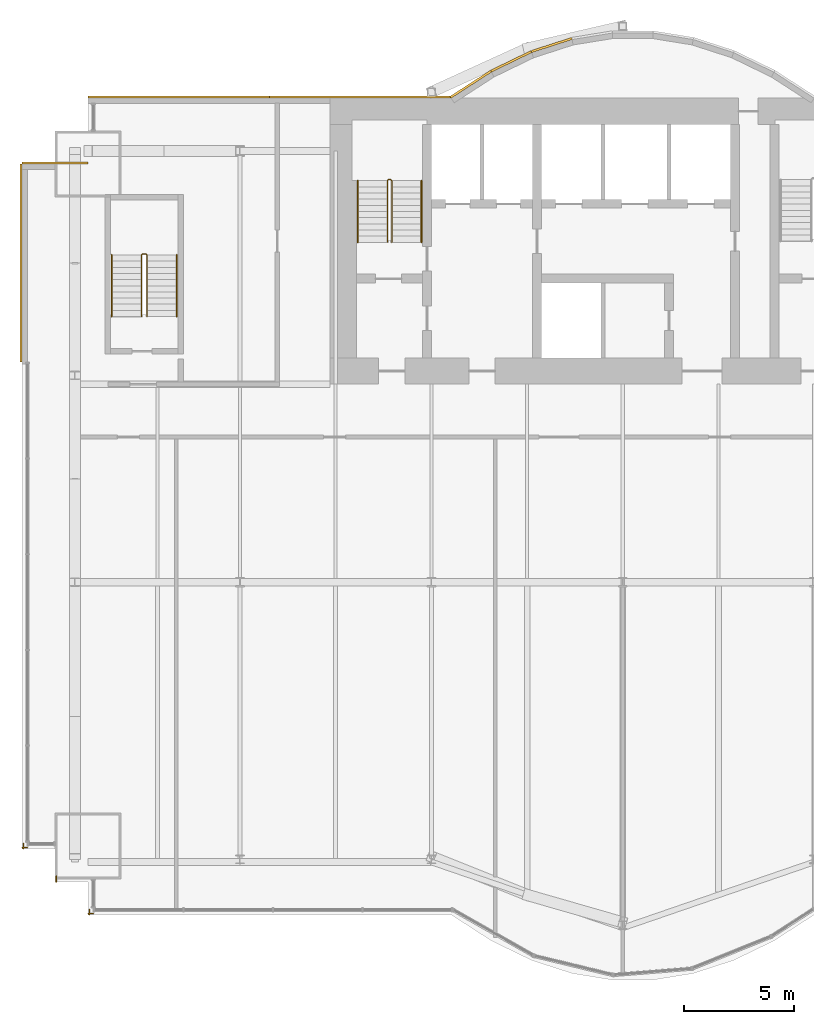
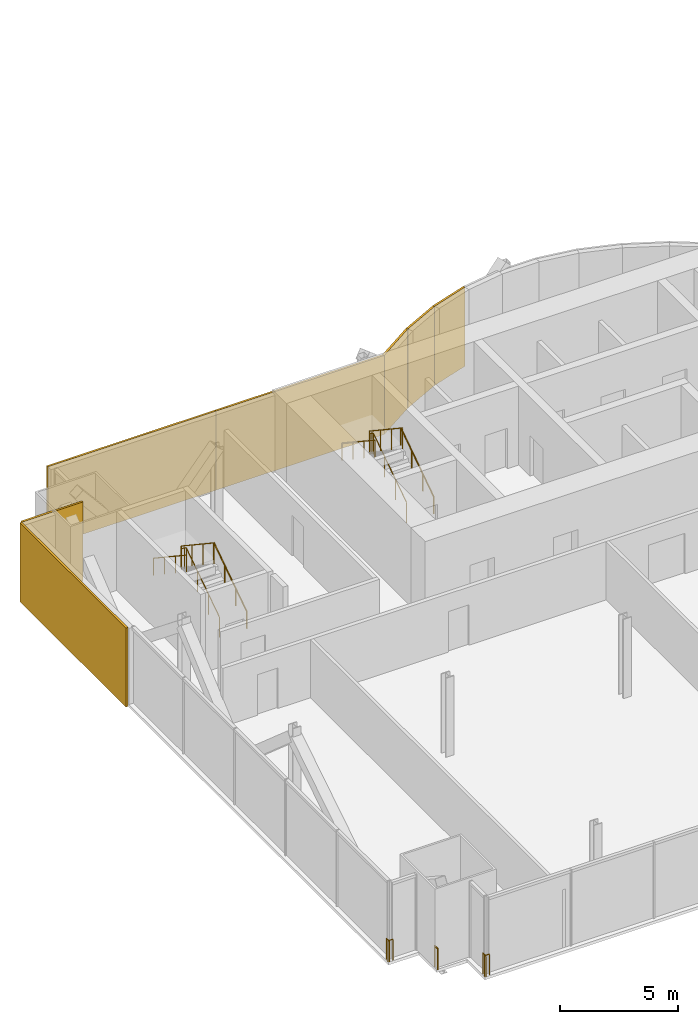
# One storey, part 19 of 21: 9 railings, 7 coverings.
"""IFC4 building model written with IfcOpenShell, lengths in metres."""

from ifc_helpers import new_model, si_unit, direction, frame, origin, origin_2d, place, context, subcontext, project, spatial, rectangle, circle, extrude, material, layer, layer_set, type_object, element, save


model = new_model("IFC4")

# Units and contexts
model_context = context("Model", 3, precision=1e-05, world=origin(), true_north=direction((0.0, 1.0)))
body_context = subcontext(model_context, "Body", "Model", "MODEL_VIEW")
ifc_project = project(units=[si_unit("LENGTHUNIT", "METRE"), si_unit("AREAUNIT", "SQUARE_METRE"), si_unit("VOLUMEUNIT", "CUBIC_METRE"), si_unit("PLANEANGLEUNIT", "RADIAN"), si_unit("MASSUNIT", "GRAM", prefix="KILO")], contexts=[model_context])

# Site, building, storey
site_placement = place(None, origin())
site = spatial("IfcSite", under=ifc_project, at=site_placement, CompositionType="ELEMENT")
building_placement = place(site_placement, origin())
building = spatial("IfcBuilding", under=site, at=building_placement, Name="Bicima Exchange Tower", CompositionType="ELEMENT")
storey_placement = place(building_placement, frame((0.0, 0.0, 122.699951171875)))
storey = spatial("IfcBuildingStorey", under=building, at=storey_placement, Name="L26", CompositionType="ELEMENT", Elevation=122.699951171875)

# Coverings
ifc_material_1 = material(Name="Bronze metal cladding")
ifc_layer_1 = layer(ifc_material_1, 0.004)
ifc_material_2 = material(Name="Ventilated cavity")
ifc_layer_2 = layer(ifc_material_2, 0.06)
ifc_material_3 = material(Name="Galvanised steel rail and mineral wool", Category="steel")
ifc_layer_3 = layer(ifc_material_3, 0.036)
ifc_layer_set = layer_set([ifc_layer_1, ifc_layer_2, ifc_layer_3], Name="Ventilated cavity")
covering_type = type_object("IfcCoveringType", Name="Bronze metal cladding panel 100", PredefinedType="CLADDING", material=ifc_layer_set)
covering_1_placement = place(storey_placement, frame((-11.931884765625, 2.41796875, -0.14990234375), z_axis=(0.0, 0.0, 1.0), x_axis=(-0.951524642381, -0.307572519808, 0.0)))
element("IfcCovering", 1, at=covering_1_placement, inside=storey, type_object=covering_type, Name="Bronze cladding L26 17.1", PredefinedType="CLADDING", context=body_context, shape_type="SweptSolid", body=[
    extrude(rectangle(XDim=1.9267578125, YDim=0.10009765625, at=origin_2d()), origin(), (0.0, 0.0, 1.0), 4.10009765625),
])
covering_2_placement = place(storey_placement, frame((-13.771728515625, 1.674560546875, -0.14990234375), z_axis=(0.0, 0.0, 1.0), x_axis=(-0.899818346812, -0.436264762204, 0.0)))
element("IfcCovering", 2, at=covering_2_placement, inside=storey, type_object=covering_type, Name="Bronze cladding L26 18.1", PredefinedType="CLADDING", context=body_context, shape_type="SweptSolid", body=[
    extrude(rectangle(XDim=2.03759765625, YDim=0.10009765625, at=origin_2d()), origin(), (0.0, 0.0, 1.0), 4.10009765625),
])
covering_3_placement = place(storey_placement, frame((-15.610595703125, 0.634521484375, -0.14990234375), z_axis=(0.0, 0.0, 1.0), x_axis=(-0.839790466384, -0.542910648791, 0.0)))
element("IfcCovering", 3, at=covering_3_placement, inside=storey, type_object=covering_type, Name="Bronze cladding L26 19.1", PredefinedType="CLADDING", context=body_context, shape_type="SweptSolid", body=[
    extrude(rectangle(XDim=2.18310546875, YDim=0.10009765625, at=origin_2d()), origin(), (0.0, 0.0, 1.0), 4.10009765625),
])
for number, where, z_axis, x_axis, name in (
    (4, (-20.625, 0.050048828125, -0.14990234375), (0.0, 0.0, 1.0), (-1.0, 0.0, 0.0), "Bronze cladding L26 20.1"),
    (5, (-28.875, 0.050048828125, -0.14990234375), (0.0, 0.0, 1.0), (-1.0, 0.0, 0.0), "Bronze cladding L26 20.2"),
):
    element("IfcCovering", number, at=place(storey_placement, frame(where, z_axis=z_axis, x_axis=x_axis)), inside=storey, type_object=covering_type, Name=name, PredefinedType="CLADDING", context=body_context, shape_type="SweptSolid", body=[
        extrude(rectangle(XDim=8.25, YDim=0.10009765625, at=origin_2d()), origin(), (0.0, 0.0, 1.0), 4.10009765625),
    ])
covering_4_placement = place(storey_placement, frame((-34.5, -2.949951171875, -0.14990234375), z_axis=(0.0, 0.0, 1.0), x_axis=(-1.0, 0.0, 0.0)))
element("IfcCovering", 6, at=covering_4_placement, inside=storey, type_object=covering_type, Name="Bronze cladding L26 22.1", PredefinedType="CLADDING", context=body_context, shape_type="SweptSolid", body=[
    extrude(rectangle(XDim=3.0, YDim=0.10009765625, at=origin_2d()), origin(), (0.0, 0.0, 1.0), 4.10009765625),
])
covering_5_placement = place(storey_placement, frame((-36.050048828125, -7.5, -0.14990234375), z_axis=(0.0, 0.0, 1.0), x_axis=(0.0, -1.0, 0.0)))
element("IfcCovering", 7, at=covering_5_placement, inside=storey, type_object=covering_type, Name="Bronze cladding L26 23.1", PredefinedType="CLADDING", context=body_context, shape_type="SweptSolid", body=[
    extrude(rectangle(XDim=9.0, YDim=0.10009765625, at=origin_2d()), origin(), (0.0, 0.0, 1.0), 4.10009765625),
])

# Railings
ifc_material_4 = material(Name="Stainless steel and bonded safety glass", Category="steel")
railing_type_1 = type_object("IfcRailingType", Name="Edge guard 1100", PredefinedType="GUARDRAIL", material=ifc_material_4)
railing_1_placement = place(storey_placement, frame((-35.75, -34.070068359375, 0.0)))
element("IfcRailing", 8, at=railing_1_placement, inside=storey, type_object=railing_type_1, Name="Edge guard L26 127", PredefinedType="GUARDRAIL", context=body_context, shape_type="SweptSolid", body=[
    extrude(circle(Radius=0.02392578125, at=origin_2d()), frame((0.0, 0.0, 1.076171875), z_axis=(-1.0, 0.0, 0.0), x_axis=(0.0, -1.0, 0.0)), (0.0, 0.0, 1.0), 0.25),
    extrude(circle(Radius=0.02392578125, at=origin_2d()), frame((-0.25, 0.0, 1.076171875), z_axis=(0.707106781187, -0.707106781187, 0.0), x_axis=(0.707106781187, 0.707106781187, 0.0)), (0.0, 0.0, 1.0), 0.07080078125),
    extrude(circle(Radius=0.02392578125, at=origin_2d()), frame((-0.199951171875, -0.050048828125, 1.076171875), z_axis=(0.0, 1.0, 0.0), x_axis=(-1.0, 0.0, 0.0)), (0.0, 0.0, 1.0), 0.2490234375),
    extrude(circle(Radius=0.02099609375, at=origin_2d()), origin(), (0.0, 0.0, 1.0), 1.052001953125),
    extrude(circle(Radius=0.02099609375, at=origin_2d()), frame((-0.25, 0.0, 0.0)), (0.0, 0.0, 1.0), 1.052001953125),
    extrude(circle(Radius=0.02099609375, at=origin_2d()), frame((-0.199951171875, -0.050048828125, 0.0)), (0.0, 0.0, 1.0), 1.052001953125),
    extrude(circle(Radius=0.02099609375, at=origin_2d()), frame((-0.199951171875, 0.198974609375, 0.0)), (0.0, 0.0, 1.0), 1.052001953125),
])
railing_2_placement = place(storey_placement, frame((-32.75, -37.070068359375, 0.0)))
element("IfcRailing", 9, at=railing_2_placement, inside=storey, type_object=railing_type_1, Name="Edge guard L26 131", PredefinedType="GUARDRAIL", context=body_context, shape_type="SweptSolid", body=[
    extrude(circle(Radius=0.02392578125, at=origin_2d()), frame((0.0, 0.0, 1.076171875), z_axis=(-1.0, 0.0, 0.0), x_axis=(0.0, -1.0, 0.0)), (0.0, 0.0, 1.0), 0.25),
    extrude(circle(Radius=0.02392578125, at=origin_2d()), frame((-0.25, 0.0, 1.076171875), z_axis=(0.707106781187, -0.707106781187, 0.0), x_axis=(0.707106781187, 0.707106781187, 0.0)), (0.0, 0.0, 1.0), 0.07080078125),
    extrude(circle(Radius=0.02392578125, at=origin_2d()), frame((-0.199951171875, -0.050048828125, 1.076171875), z_axis=(0.0, 1.0, 0.0), x_axis=(-1.0, 0.0, 0.0)), (0.0, 0.0, 1.0), 0.25),
    extrude(circle(Radius=0.02099609375, at=origin_2d()), origin(), (0.0, 0.0, 1.0), 1.052001953125),
    extrude(circle(Radius=0.02099609375, at=origin_2d()), frame((-0.25, 0.0, 0.0)), (0.0, 0.0, 1.0), 1.052001953125),
    extrude(circle(Radius=0.02099609375, at=origin_2d()), frame((-0.199951171875, -0.050048828125, 0.0)), (0.0, 0.0, 1.0), 1.052001953125),
    extrude(circle(Radius=0.02099609375, at=origin_2d()), frame((-0.199951171875, 0.199951171875, 0.0)), (0.0, 0.0, 1.0), 1.052001953125),
])
railing_3_placement = place(storey_placement, frame((-34.449951171875, -35.6201171875, 0.0)))
element("IfcRailing", 10, at=railing_3_placement, inside=storey, type_object=railing_type_1, Name="Edge guard L26 132", PredefinedType="GUARDRAIL", context=body_context, shape_type="SweptSolid", body=[
    extrude(circle(Radius=0.02392578125, at=origin_2d()), frame((0.0, 0.0, 1.076171875), z_axis=(0.0, 1.0, 0.0), x_axis=(-1.0, 0.0, 0.0)), (0.0, 0.0, 1.0), 0.25),
    extrude(circle(Radius=0.02099609375, at=origin_2d()), origin(), (0.0, 0.0, 1.0), 1.052001953125),
    extrude(circle(Radius=0.02099609375, at=origin_2d()), frame((0.0, 0.25, 0.0)), (0.0, 0.0, 1.0), 1.052001953125),
])
ifc_material_5 = material(Name="Stainless steel", Category="steel")
railing_type_2 = type_object("IfcRailingType", Name="Stair guard 1100", PredefinedType="GUARDRAIL", material=ifc_material_5)
railing_4_placement = place(storey_placement, frame((-19.199951171875, -6.550048828125, 0.1865234375)))
element("IfcRailing", 11, at=railing_4_placement, inside=storey, type_object=railing_type_2, Name="L26 ST-W stair guard 1", PredefinedType="GUARDRAIL", context=body_context, shape_type="SweptSolid", body=[
    extrude(circle(Radius=0.02392578125, at=origin_2d()), frame((0.0, 0.0, 1.076171875), z_axis=(0.0, 0.832485552168, 0.554046753832), x_axis=(-1.0, 0.0, 0.0)), (0.0, 0.0, 1.0), 3.363525390625),
    extrude(circle(Radius=0.02392578125, at=origin_2d()), frame((0.0, 2.800048828125, 2.939453125), z_axis=(-0.707106781187, 0.707106781187, 0.0), x_axis=(-0.707106781187, -0.707106781187, 0.0)), (0.0, 0.0, 1.0), 0.07080078125),
    extrude(circle(Radius=0.02392578125, at=origin_2d()), frame((-0.050048828125, 2.85009765625, 2.939453125), z_axis=(-1.0, 0.0, 0.0), x_axis=(0.0, -1.0, 0.0)), (0.0, 0.0, 1.0), 0.10009765625),
    extrude(circle(Radius=0.02392578125, at=origin_2d()), frame((-0.150146484375, 2.85009765625, 2.939453125), z_axis=(-0.250008635948, -0.251234168477, 0.935081319748), x_axis=(0.708833529934, -0.705375805398, 0.0)), (0.0, 0.0, 1.0), 0.19921875),
    extrude(circle(Radius=0.02392578125, at=origin_2d()), frame((-0.199951171875, 2.800048828125, 3.1259765625), z_axis=(0.0, -0.832452072856, 0.554097055034), x_axis=(1.0, 0.0, 0.0)), (0.0, 0.0, 1.0), 3.363525390625),
    extrude(circle(Radius=0.02099609375, at=origin_2d()), origin(), (0.0, 0.0, 1.0), 1.052001953125),
    extrude(circle(Radius=0.02099609375, at=origin_2d()), frame((0.0, 0.933349609375, 0.62109375)), (0.0, 0.0, 1.0), 1.052001953125),
    extrude(circle(Radius=0.02099609375, at=origin_2d()), frame((0.0, 1.86669921875, 1.242431640625)), (0.0, 0.0, 1.0), 1.052001953125),
    extrude(circle(Radius=0.02099609375, at=origin_2d()), frame((0.0, 2.800048828125, 1.863525390625)), (0.0, 0.0, 1.0), 1.052001953125),
    extrude(circle(Radius=0.02099609375, at=origin_2d()), frame((-0.050048828125, 2.85009765625, 1.863525390625)), (0.0, 0.0, 1.0), 1.052001953125),
    extrude(circle(Radius=0.02099609375, at=origin_2d()), frame((-0.150146484375, 2.85009765625, 1.863525390625)), (0.0, 0.0, 1.0), 1.052001953125),
    extrude(circle(Radius=0.02099609375, at=origin_2d()), frame((-0.199951171875, 2.800048828125, 2.0498046875)), (0.0, 0.0, 1.0), 1.052001953125),
    extrude(circle(Radius=0.02099609375, at=origin_2d()), frame((-0.199951171875, 1.86669921875, 2.671142578125)), (0.0, 0.0, 1.0), 1.052001953125),
    extrude(circle(Radius=0.02099609375, at=origin_2d()), frame((-0.199951171875, 0.933349609375, 3.292236328125)), (0.0, 0.0, 1.0), 1.052001953125),
    extrude(circle(Radius=0.02099609375, at=origin_2d()), frame((-0.199951171875, 0.0, 3.91357421875)), (0.0, 0.0, 1.0), 1.052001953125),
])
railing_5_placement = place(storey_placement, frame((-30.324951171875, -9.925048828125, 0.1865234375)))
element("IfcRailing", 12, at=railing_5_placement, inside=storey, type_object=railing_type_2, Name="L26 ST-WW stair guard 1", PredefinedType="GUARDRAIL", context=body_context, shape_type="SweptSolid", body=[
    extrude(circle(Radius=0.02392578125, at=origin_2d()), frame((0.0, 0.0, 1.076171875), z_axis=(0.0, 0.832485552168, 0.554046753832), x_axis=(-1.0, 0.0, 0.0)), (0.0, 0.0, 1.0), 3.363525390625),
    extrude(circle(Radius=0.02392578125, at=origin_2d()), frame((0.0, 2.800048828125, 2.939453125), z_axis=(-0.707106781187, 0.707106781187, 0.0), x_axis=(-0.707106781187, -0.707106781187, 0.0)), (0.0, 0.0, 1.0), 0.07080078125),
    extrude(circle(Radius=0.02392578125, at=origin_2d()), frame((-0.050048828125, 2.85009765625, 2.939453125), z_axis=(-1.0, 0.0, 0.0), x_axis=(0.0, -1.0, 0.0)), (0.0, 0.0, 1.0), 0.14990234375),
    extrude(circle(Radius=0.02392578125, at=origin_2d()), frame((-0.199951171875, 2.85009765625, 2.939453125), z_axis=(-0.251157038772, -0.251157038772, 0.934794246747), x_axis=(0.707106781187, -0.707106781187, 0.0)), (0.0, 0.0, 1.0), 0.19921875),
    extrude(circle(Radius=0.02392578125, at=origin_2d()), frame((-0.25, 2.800048828125, 3.1259765625), z_axis=(0.0, -0.832452072856, 0.554097055034), x_axis=(1.0, 0.0, 0.0)), (0.0, 0.0, 1.0), 3.363525390625),
    extrude(circle(Radius=0.02099609375, at=origin_2d()), origin(), (0.0, 0.0, 1.0), 1.052001953125),
    extrude(circle(Radius=0.02099609375, at=origin_2d()), frame((0.0, 0.933349609375, 0.62109375)), (0.0, 0.0, 1.0), 1.052001953125),
    extrude(circle(Radius=0.02099609375, at=origin_2d()), frame((0.0, 1.86669921875, 1.242431640625)), (0.0, 0.0, 1.0), 1.052001953125),
    extrude(circle(Radius=0.02099609375, at=origin_2d()), frame((0.0, 2.800048828125, 1.863525390625)), (0.0, 0.0, 1.0), 1.052001953125),
    extrude(circle(Radius=0.02099609375, at=origin_2d()), frame((-0.050048828125, 2.85009765625, 1.863525390625)), (0.0, 0.0, 1.0), 1.052001953125),
    extrude(circle(Radius=0.02099609375, at=origin_2d()), frame((-0.199951171875, 2.85009765625, 1.863525390625)), (0.0, 0.0, 1.0), 1.052001953125),
    extrude(circle(Radius=0.02099609375, at=origin_2d()), frame((-0.25, 2.800048828125, 2.0498046875)), (0.0, 0.0, 1.0), 1.052001953125),
    extrude(circle(Radius=0.02099609375, at=origin_2d()), frame((-0.25, 1.86669921875, 2.671142578125)), (0.0, 0.0, 1.0), 1.052001953125),
    extrude(circle(Radius=0.02099609375, at=origin_2d()), frame((-0.25, 0.933349609375, 3.292236328125)), (0.0, 0.0, 1.0), 1.052001953125),
    extrude(circle(Radius=0.02099609375, at=origin_2d()), frame((-0.25, 0.0, 3.91357421875)), (0.0, 0.0, 1.0), 1.052001953125),
])
railing_type_3 = type_object("IfcRailingType", Name="Stair handrail 900", PredefinedType="HANDRAIL", material=ifc_material_5)
railing_6_placement = place(storey_placement, frame((-17.85009765625, -6.550048828125, 0.1865234375)))
element("IfcRailing", 13, at=railing_6_placement, inside=storey, type_object=railing_type_3, Name="L26 ST-W stair handrail 1", PredefinedType="HANDRAIL", context=body_context, shape_type="SweptSolid", body=[
    extrude(circle(Radius=0.02392578125, at=origin_2d()), frame((0.0, 0.0, 0.8759765625), z_axis=(0.0, 0.832485552168, 0.554046753832), x_axis=(-1.0, 0.0, 0.0)), (0.0, 0.0, 1.0), 3.363525390625),
    extrude(circle(Radius=0.02099609375, at=origin_2d()), origin(), (0.0, 0.0, 1.0), 0.851806640625),
    extrude(circle(Radius=0.02099609375, at=origin_2d()), frame((0.0, 0.933349609375, 0.62109375)), (0.0, 0.0, 1.0), 0.851806640625),
    extrude(circle(Radius=0.02099609375, at=origin_2d()), frame((0.0, 1.86669921875, 1.242431640625)), (0.0, 0.0, 1.0), 0.851806640625),
    extrude(circle(Radius=0.02099609375, at=origin_2d()), frame((0.0, 2.800048828125, 1.863525390625)), (0.0, 0.0, 1.0), 0.851806640625),
])
railing_7_placement = place(storey_placement, frame((-20.75, -3.75, 2.27685546875)))
element("IfcRailing", 14, at=railing_7_placement, inside=storey, type_object=railing_type_3, Name="L26 ST-W stair handrail 2", PredefinedType="HANDRAIL", context=body_context, shape_type="SweptSolid", body=[
    extrude(circle(Radius=0.02392578125, at=origin_2d()), frame((0.0, 0.0, 0.8759765625), z_axis=(0.0, -0.832485552168, 0.554046753832), x_axis=(1.0, 0.0, 0.0)), (0.0, 0.0, 1.0), 3.363525390625),
    extrude(circle(Radius=0.02099609375, at=origin_2d()), origin(), (0.0, 0.0, 1.0), 0.851806640625),
    extrude(circle(Radius=0.02099609375, at=origin_2d()), frame((0.0, -0.933349609375, 0.62109375)), (0.0, 0.0, 1.0), 0.851806640625),
    extrude(circle(Radius=0.02099609375, at=origin_2d()), frame((0.0, -1.86669921875, 1.242431640625)), (0.0, 0.0, 1.0), 0.851806640625),
    extrude(circle(Radius=0.02099609375, at=origin_2d()), frame((0.0, -2.800048828125, 1.863525390625)), (0.0, 0.0, 1.0), 0.851806640625),
])
railing_8_placement = place(storey_placement, frame((-28.97509765625, -9.925048828125, 0.1865234375)))
element("IfcRailing", 15, at=railing_8_placement, inside=storey, type_object=railing_type_3, Name="L26 ST-WW stair handrail 1", PredefinedType="HANDRAIL", context=body_context, shape_type="SweptSolid", body=[
    extrude(circle(Radius=0.02392578125, at=origin_2d()), frame((0.0, 0.0, 0.8759765625), z_axis=(0.0, 0.832485552168, 0.554046753832), x_axis=(-1.0, 0.0, 0.0)), (0.0, 0.0, 1.0), 3.363525390625),
    extrude(circle(Radius=0.02099609375, at=origin_2d()), origin(), (0.0, 0.0, 1.0), 0.851806640625),
    extrude(circle(Radius=0.02099609375, at=origin_2d()), frame((0.0, 0.933349609375, 0.62109375)), (0.0, 0.0, 1.0), 0.851806640625),
    extrude(circle(Radius=0.02099609375, at=origin_2d()), frame((0.0, 1.86669921875, 1.242431640625)), (0.0, 0.0, 1.0), 0.851806640625),
    extrude(circle(Radius=0.02099609375, at=origin_2d()), frame((0.0, 2.800048828125, 1.863525390625)), (0.0, 0.0, 1.0), 0.851806640625),
])
railing_9_placement = place(storey_placement, frame((-31.925048828125, -7.125, 2.27685546875)))
element("IfcRailing", 16, at=railing_9_placement, inside=storey, type_object=railing_type_3, Name="L26 ST-WW stair handrail 2", PredefinedType="HANDRAIL", context=body_context, shape_type="SweptSolid", body=[
    extrude(circle(Radius=0.02392578125, at=origin_2d()), frame((0.0, 0.0, 0.8759765625), z_axis=(0.0, -0.832485552168, 0.554046753832), x_axis=(1.0, 0.0, 0.0)), (0.0, 0.0, 1.0), 3.363525390625),
    extrude(circle(Radius=0.02099609375, at=origin_2d()), origin(), (0.0, 0.0, 1.0), 0.851806640625),
    extrude(circle(Radius=0.02099609375, at=origin_2d()), frame((0.0, -0.933349609375, 0.62109375)), (0.0, 0.0, 1.0), 0.851806640625),
    extrude(circle(Radius=0.02099609375, at=origin_2d()), frame((0.0, -1.86669921875, 1.242431640625)), (0.0, 0.0, 1.0), 0.851806640625),
    extrude(circle(Radius=0.02099609375, at=origin_2d()), frame((0.0, -2.800048828125, 1.863525390625)), (0.0, 0.0, 1.0), 0.851806640625),
])

save(model, "model.ifc")
